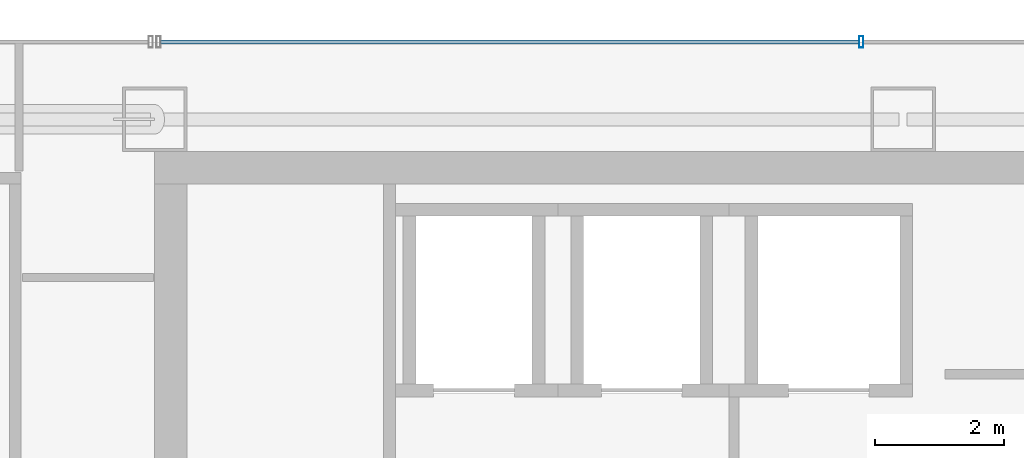
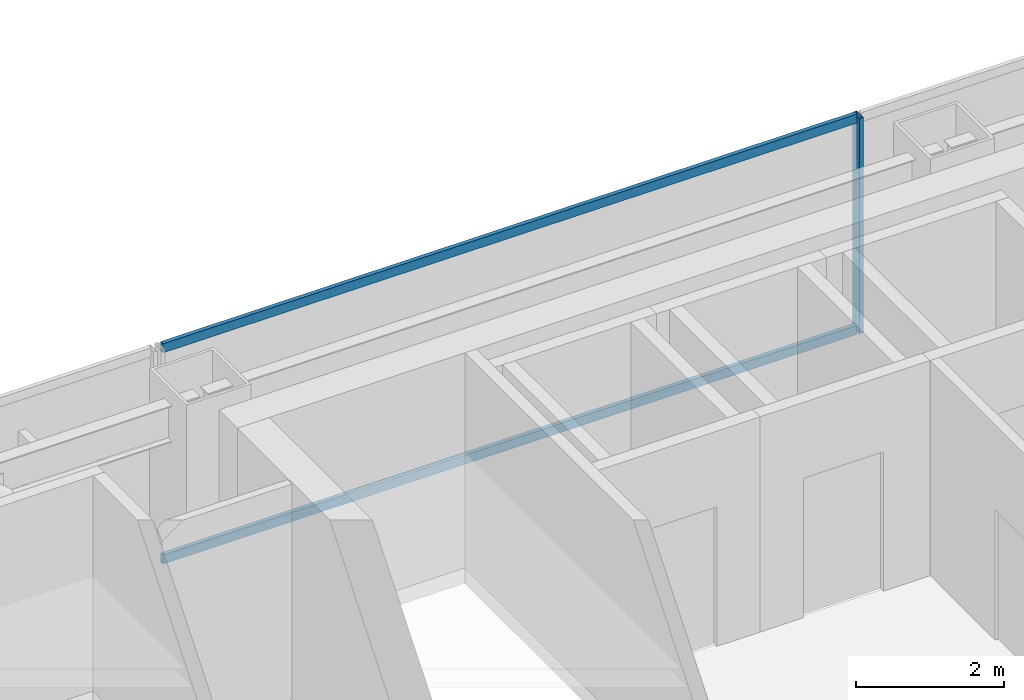
# One storey, part 23 of 36: 3 members, 1 element without a shape of its own.
"""IFC4 building model written with IfcOpenShell, lengths in metres."""

from ifc_helpers import new_model, si_unit, direction, frame, origin, origin_2d, place, context, subcontext, project, spatial, hollow_rectangle, extrude, material, material_profile, profile_set, type_object, element, aggregate, save


model = new_model("IFC4")

# Units and contexts
model_context = context("Model", 3, precision=1e-05, world=origin(), true_north=direction((0.0, 1.0)))
body_context = subcontext(model_context, "Body", "Model", "MODEL_VIEW")
ifc_project = project(units=[si_unit("LENGTHUNIT", "METRE"), si_unit("AREAUNIT", "SQUARE_METRE"), si_unit("VOLUMEUNIT", "CUBIC_METRE"), si_unit("PLANEANGLEUNIT", "RADIAN"), si_unit("MASSUNIT", "GRAM", prefix="KILO")], contexts=[model_context])

# Site, building, storey
site_placement = place(None, origin())
site = spatial("IfcSite", under=ifc_project, at=site_placement, CompositionType="ELEMENT")
building_placement = place(site_placement, origin())
building = spatial("IfcBuilding", under=site, at=building_placement, Name="Saevonmaru Cultural Tower", CompositionType="ELEMENT")
storey_placement = place(building_placement, frame((0.0, 0.0, 152.39990234375)))
storey = spatial("IfcBuildingStorey", under=building, at=storey_placement, Name="L33", CompositionType="ELEMENT", Elevation=152.39990234375)

# Curtain wall, members
ifc_material = material(Name="Satin Bronze Anodised Aluminium", Category="aluminium")
curtain_wall_type = type_object("IfcCurtainWallType", Name="CW-TYP-A", PredefinedType="NOTDEFINED", material=ifc_material)
curtain_wall_placement = place(storey_placement, origin())
curtain_wall = element("IfcCurtainWall", 1, at=curtain_wall_placement, inside=storey, type_object=curtain_wall_type, Name="L33 North Spine Unitised Curtain Wall E10B", PredefinedType="NOTDEFINED")
ifc_material_profile_1 = material_profile(ifc_material, hollow_rectangle(XDim=0.06494140625, YDim=0.179931640625, WallThickness=0.00390625, at=origin_2d()), Name="ALU-MULL-180x65x4")
ifc_profile_set_1 = profile_set([ifc_material_profile_1], Name="Satin Bronze Anodised Aluminium")
member_type_1 = type_object("IfcMemberType", Name="ML-CW-180x65", PredefinedType="MULLION", material=ifc_profile_set_1)
member_1_placement = place(storey_placement, frame((24.55322265625, 56.0, 0.0), z_axis=(0.0, 0.0, 1.0), x_axis=(-1.0, 0.0, 0.0)))
member_1 = element("IfcMember", 2, at=member_1_placement, type_object=member_type_1, Name="CW-TW-L33-E10B mullion 3", PredefinedType="MULLION", context=body_context, shape_type="SweptSolid", body=[
    extrude(hollow_rectangle(XDim=0.06494140625, YDim=0.179931640625, WallThickness=0.00390625, at=origin_2d()), origin(), (0.0, 0.0, 1.0), 3.550048828125),
])
ifc_material_profile_2 = material_profile(ifc_material, hollow_rectangle(XDim=0.06494140625, YDim=0.14990234375, WallThickness=0.00390625, at=origin_2d()), Name="ALU-TRAN-150x65x4")
ifc_profile_set_2 = profile_set([ifc_material_profile_2], Name="Satin Bronze Anodised Aluminium")
member_type_2 = type_object("IfcMemberType", Name="TR-CW-150x65", PredefinedType="USERDEFINED", material=ifc_profile_set_2)
member_2_placement = place(storey_placement, frame((24.520751953125, 56.0, 0.03271484375), z_axis=(-1.0, 0.0, 0.0), x_axis=(0.0, -1.0, 0.0)))
member_2 = element("IfcMember", 3, at=member_2_placement, type_object=member_type_2, Name="CW-TW-L33-E10B transom 3.1", ObjectType="TRANSOM", PredefinedType="USERDEFINED", context=body_context, shape_type="SweptSolid", body=[
    extrude(hollow_rectangle(XDim=0.06494140625, YDim=0.14990234375, WallThickness=0.00390625, at=origin_2d()), origin(), (0.0, 0.0, 1.0), 10.828369140625),
])
member_3_placement = place(storey_placement, frame((24.520751953125, 56.0, 3.517578125), z_axis=(-1.0, 0.0, 0.0), x_axis=(0.0, -1.0, 0.0)))
member_3 = element("IfcMember", 4, at=member_3_placement, type_object=member_type_2, Name="CW-TW-L33-E10B transom 3.2", ObjectType="TRANSOM", PredefinedType="USERDEFINED", context=body_context, shape_type="SweptSolid", body=[
    extrude(hollow_rectangle(XDim=0.06494140625, YDim=0.14990234375, WallThickness=0.00390625, at=origin_2d()), origin(), (0.0, 0.0, 1.0), 10.828369140625),
])
aggregate(curtain_wall, [member_1, member_2, member_3])

save(model, "model.ifc")
